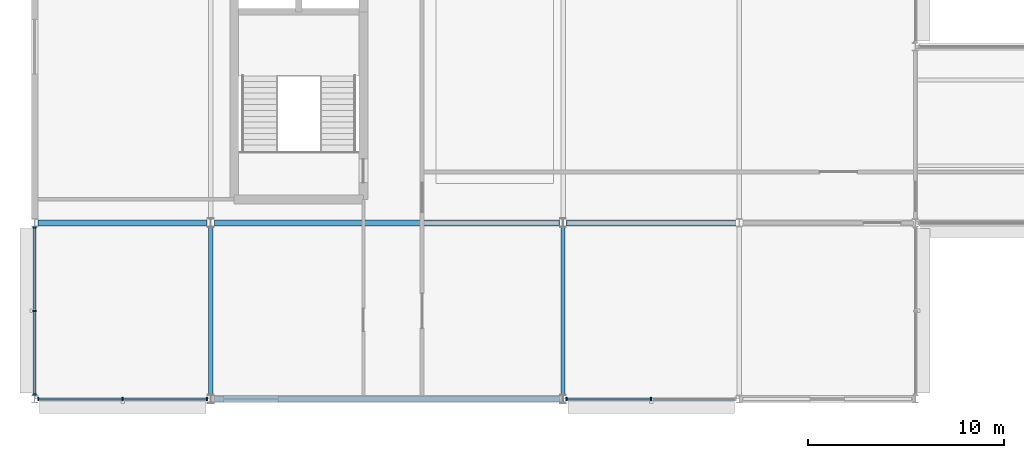
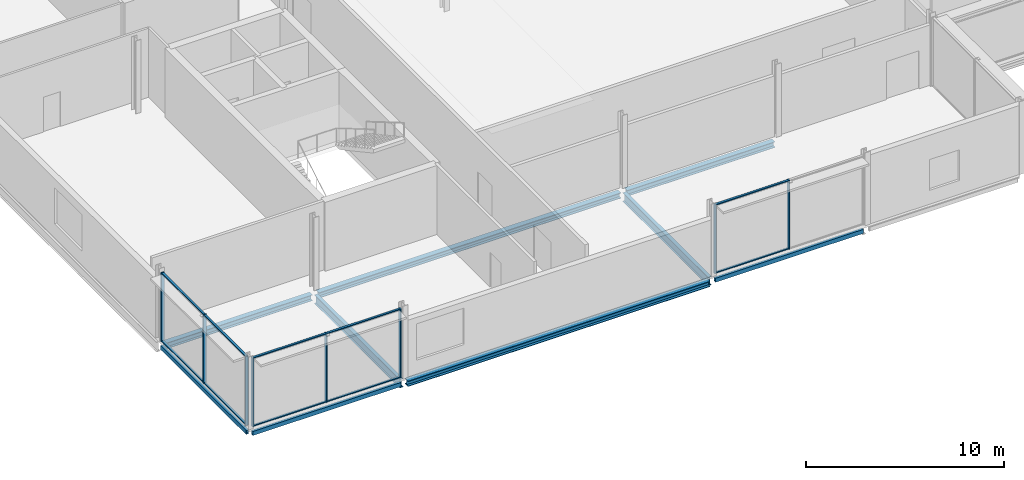
# One storey, part 14 of 73: 18 members, 9 beams, 3 elements without a shape of their own.
"""IFC4 building model written with IfcOpenShell, lengths in metres."""

from ifc_helpers import new_model, si_unit, direction, frame, origin, origin_2d, place, context, subcontext, project, spatial, rectangle, hollow_rectangle, i_section, extrude, material, layer, layer_set, material_profile, profile_set, type_object, element, aggregate, save


model = new_model("IFC4")

# Units and contexts
model_context = context("Model", 3, precision=1e-05, world=origin(), true_north=direction((0.0, 1.0)))
body_context = subcontext(model_context, "Body", "Model", "MODEL_VIEW")
ifc_project = project(units=[si_unit("LENGTHUNIT", "METRE"), si_unit("AREAUNIT", "SQUARE_METRE"), si_unit("VOLUMEUNIT", "CUBIC_METRE"), si_unit("PLANEANGLEUNIT", "RADIAN"), si_unit("MASSUNIT", "GRAM", prefix="KILO")], contexts=[model_context])

# Site, building, storey
site_placement = place(None, origin())
site = spatial("IfcSite", under=ifc_project, at=site_placement, CompositionType="ELEMENT")
building_placement = place(site_placement, origin())
building = spatial("IfcBuilding", under=site, at=building_placement, Name="Kisiwana Market Hall", CompositionType="ELEMENT")
storey_placement = place(building_placement, frame((0.0, 0.0, 33.300048828125)))
storey = spatial("IfcBuildingStorey", under=building, at=storey_placement, Name="L07", CompositionType="ELEMENT", Elevation=33.300048828125)

# Beams
ifc_material_1 = material(Name="Steel S355", Category="steel")
ifc_material_profile_1 = material_profile(ifc_material_1, i_section(OverallWidth=0.300048828125, OverallDepth=0.360107421875, WebThickness=0.012451171875, FlangeThickness=0.0224609375, at=origin_2d()), Name="HEB 360")
ifc_profile_set_1 = profile_set([ifc_material_profile_1], Name="Steel S355")
beam_type_1 = type_object("IfcBeamType", Name="BM-GIRD-HEB360", PredefinedType="BEAM", material=ifc_profile_set_1)
for number, where, z_axis, x_axis, name in (
    (1, (0.18115234375, 18.0, -0.4599609375), (1.0, 0.0, 0.0), (0.0, 1.0, 0.0), "Floor beam B-1963"),
    (2, (27.183349609375, 18.0, -0.4599609375), (1.0, 0.0, 0.0), (0.0, 1.0, 0.0), "Floor beam B-1965"),
):
    element("IfcBeam", number, at=place(storey_placement, frame(where, z_axis=z_axis, x_axis=x_axis)), inside=storey, type_object=beam_type_1, Name=name, PredefinedType="BEAM", context=body_context, shape_type="SweptSolid", body=[
        extrude(i_section(OverallWidth=0.300048828125, OverallDepth=0.360107421875, WebThickness=0.012451171875, FlangeThickness=0.0224609375, at=origin_2d()), origin(), (0.0, 0.0, 1.0), 8.635498046875),
    ])
ifc_material_2 = material(Name="Steel S355", Category="steel")
ifc_material_profile_2 = material_profile(ifc_material_2, i_section(OverallWidth=0.209228515625, OverallDepth=0.533203125, WebThickness=0.010009765625, FlangeThickness=0.015625, at=origin_2d()), Name="UB 533x210x92")
ifc_profile_set_2 = profile_set([ifc_material_profile_2], Name="Steel S355")
beam_type_2 = type_object("IfcBeamType", Name="BM-GIRD-UB533", PredefinedType="BEAM", material=ifc_profile_set_2)
for number, where, z_axis, x_axis, name in (
    (3, (9.0, 9.183349609375, -0.546630859375), (0.0, 1.0, 0.0), (-1.0, 0.0, 0.0), "Primary girder B-1881"),
    (4, (27.0, 9.183349609375, -0.546630859375), (0.0, 1.0, 0.0), (-1.0, 0.0, 0.0), "Primary girder B-1887"),
):
    element("IfcBeam", number, at=place(storey_placement, frame(where, z_axis=z_axis, x_axis=x_axis)), inside=storey, type_object=beam_type_2, Name=name, PredefinedType="BEAM", context=body_context, shape_type="SweptSolid", body=[
        extrude(i_section(OverallWidth=0.209228515625, OverallDepth=0.533203125, WebThickness=0.010009765625, FlangeThickness=0.015625, at=origin_2d()), origin(), (0.0, 0.0, 1.0), 8.63330078125),
    ])
ifc_material_3 = material(Name="Steel S355", Category="steel")
ifc_material_profile_3 = material_profile(ifc_material_3, i_section(OverallWidth=0.314453125, OverallDepth=0.33984375, WebThickness=0.01904296875, FlangeThickness=0.031494140625, at=origin_2d()), Name="UC 305x305x198")
ifc_profile_set_3 = profile_set([ifc_material_profile_3], Name="Steel S355")
beam_type_3 = type_object("IfcBeamType", Name="BM-SKYBR-CHORD", PredefinedType="BEAM", material=ifc_profile_set_3)
for number, where, z_axis, x_axis, name in (
    (5, (9.183349609375, 9.0, -0.449951171875), (1.0, 0.0, 0.0), (0.0, 1.0, 0.0), "Floor beam B-1956"),
    (6, (9.183349609375, 18.0, -0.449951171875), (1.0, 0.0, 0.0), (0.0, 1.0, 0.0), "Floor beam B-1964"),
):
    element("IfcBeam", number, at=place(storey_placement, frame(where, z_axis=z_axis, x_axis=x_axis)), inside=storey, type_object=beam_type_3, Name=name, PredefinedType="BEAM", context=body_context, shape_type="SweptSolid", body=[
        extrude(i_section(OverallWidth=0.314453125, OverallDepth=0.33984375, WebThickness=0.01904296875, FlangeThickness=0.031494140625, at=origin_2d()), origin(), (0.0, 0.0, 1.0), 17.63330078125),
    ])
ifc_material_4 = material(Name="Steel S355", Category="steel")
ifc_material_profile_4 = material_profile(ifc_material_4, hollow_rectangle(XDim=0.14990234375, YDim=0.25, WallThickness=0.010009765625, at=origin_2d()), Name="RHS 250x150x10.0")
ifc_profile_set_4 = profile_set([ifc_material_profile_4], Name="Steel S355")
beam_type_4 = type_object("IfcBeamType", Name="BM-SPAN-RHS250", PredefinedType="SPANDREL", material=ifc_profile_set_4)
for number, where, z_axis, x_axis, name in (
    (7, (0.18115234375, 9.0, -0.405029296875), (1.0, 0.0, 0.0), (0.0, 1.0, 0.0), "Floor beam B-1955"),
    (8, (27.183349609375, 9.0, -0.405029296875), (1.0, 0.0, 0.0), (0.0, 1.0, 0.0), "Floor beam B-1957"),
):
    element("IfcBeam", number, at=place(storey_placement, frame(where, z_axis=z_axis, x_axis=x_axis)), inside=storey, type_object=beam_type_4, Name=name, PredefinedType="SPANDREL", context=body_context, shape_type="SweptSolid", body=[
        extrude(hollow_rectangle(XDim=0.14990234375, YDim=0.25, WallThickness=0.010009765625, at=origin_2d()), origin(), (0.0, 0.0, 1.0), 8.635498046875),
    ])
beam_placement = place(storey_placement, frame((0.0, 9.177001953125, -0.405029296875), z_axis=(0.0, 1.0, 0.0), x_axis=(-1.0, 0.0, 0.0)))
element("IfcBeam", 9, at=beam_placement, inside=storey, type_object=beam_type_4, Name="Floor beam B-2029", PredefinedType="SPANDREL", context=body_context, shape_type="SweptSolid", body=[
    extrude(hollow_rectangle(XDim=0.14990234375, YDim=0.25, WallThickness=0.010009765625, at=origin_2d()), origin(), (0.0, 0.0, 1.0), 8.64599609375),
])

# Curtain wall, members
ifc_material_5 = material(Name="Double-glazed solar-control low-E IGU", Category="glass")
ifc_layer = layer(ifc_material_5, 0.159912109375)
ifc_layer_set = layer_set([ifc_layer], Name="CW-BRG-L07-8200")
curtain_wall_type = type_object("IfcCurtainWallType", Name="CW-BRG-L07-8200", PredefinedType="USERDEFINED", material=ifc_layer_set)
curtain_wall_1_placement = place(storey_placement, origin())
curtain_wall_1 = element("IfcCurtainWall", 10, at=curtain_wall_1_placement, inside=storey, type_object=curtain_wall_type, Name="Unitised curtain wall CW-209 (L07)", ObjectType="UNITISED CURTAIN WALL", PredefinedType="USERDEFINED")
ifc_material_6 = material(Name="Aluminium alloy 6063-T6", Category="aluminium")
ifc_material_profile_5 = material_profile(ifc_material_6, rectangle(XDim=0.070068359375, YDim=0.179931640625, at=origin_2d()), Name="ALU MULLION 70x180")
ifc_profile_set_5 = profile_set([ifc_material_profile_5], Name="Aluminium alloy 6063-T6")
member_type_1 = type_object("IfcMemberType", Name="CW-MULL-70x180", PredefinedType="MULLION", material=ifc_profile_set_5)
member_1_placement = place(storey_placement, frame((0.18505859375, 9.0, 0.0), z_axis=(0.0, 0.0, 1.0), x_axis=(1.0, 0.0, 0.0)))
member_1 = element("IfcMember", 11, at=member_1_placement, type_object=member_type_1, Name="CW-209 mullion 1", PredefinedType="MULLION", context=body_context, shape_type="SweptSolid", body=[
    extrude(rectangle(XDim=0.070068359375, YDim=0.179931640625, at=origin_2d()), origin(), (0.0, 0.0, 1.0), 4.2548828125),
])
member_2_placement = place(storey_placement, frame((4.5, 9.0, 0.0), z_axis=(0.0, 0.0, 1.0), x_axis=(1.0, 0.0, 0.0)))
member_2 = element("IfcMember", 12, at=member_2_placement, type_object=member_type_1, Name="CW-209 mullion 2", PredefinedType="MULLION", context=body_context, shape_type="SweptSolid", body=[
    extrude(rectangle(XDim=0.070068359375, YDim=0.179931640625, at=origin_2d()), origin(), (0.0, 0.0, 1.0), 4.2548828125),
])
member_3_placement = place(storey_placement, frame((8.81494140625, 9.0, 0.0), z_axis=(0.0, 0.0, 1.0), x_axis=(1.0, 0.0, 0.0)))
member_3 = element("IfcMember", 13, at=member_3_placement, type_object=member_type_1, Name="CW-209 mullion 3", PredefinedType="MULLION", context=body_context, shape_type="SweptSolid", body=[
    extrude(rectangle(XDim=0.070068359375, YDim=0.179931640625, at=origin_2d()), origin(), (0.0, 0.0, 1.0), 4.2548828125),
])

curtain_wall_2_placement = place(storey_placement, origin())
curtain_wall_2 = element("IfcCurtainWall", 14, at=curtain_wall_2_placement, inside=storey, type_object=curtain_wall_type, Name="Unitised curtain wall CW-210 (L07)", ObjectType="UNITISED CURTAIN WALL", PredefinedType="USERDEFINED")
member_4_placement = place(storey_placement, frame((27.18505859375, 9.0, 0.0), z_axis=(0.0, 0.0, 1.0), x_axis=(1.0, 0.0, 0.0)))
member_4 = element("IfcMember", 15, at=member_4_placement, type_object=member_type_1, Name="CW-210 mullion 1", PredefinedType="MULLION", context=body_context, shape_type="SweptSolid", body=[
    extrude(rectangle(XDim=0.070068359375, YDim=0.179931640625, at=origin_2d()), origin(), (0.0, 0.0, 1.0), 4.2548828125),
])
member_5_placement = place(storey_placement, frame((31.5, 9.0, 0.0), z_axis=(0.0, 0.0, 1.0), x_axis=(1.0, 0.0, 0.0)))
member_5 = element("IfcMember", 16, at=member_5_placement, type_object=member_type_1, Name="CW-210 mullion 2", PredefinedType="MULLION", context=body_context, shape_type="SweptSolid", body=[
    extrude(rectangle(XDim=0.070068359375, YDim=0.179931640625, at=origin_2d()), origin(), (0.0, 0.0, 1.0), 4.2548828125),
])

curtain_wall_3_placement = place(storey_placement, origin())
curtain_wall_3 = element("IfcCurtainWall", 17, at=curtain_wall_3_placement, inside=storey, type_object=curtain_wall_type, Name="Unitised curtain wall CW-227 (L07)", ObjectType="UNITISED CURTAIN WALL", PredefinedType="USERDEFINED")
member_6_placement = place(storey_placement, frame((0.0, 9.235107421875, 0.0), z_axis=(0.0, 0.0, 1.0), x_axis=(0.0, 1.0, 0.0)))
member_6 = element("IfcMember", 18, at=member_6_placement, type_object=member_type_1, Name="CW-227 mullion 1", PredefinedType="MULLION", context=body_context, shape_type="SweptSolid", body=[
    extrude(rectangle(XDim=0.070068359375, YDim=0.179931640625, at=origin_2d()), origin(), (0.0, 0.0, 1.0), 4.2548828125),
])
member_7_placement = place(storey_placement, frame((0.0, 13.5, 0.0), z_axis=(0.0, 0.0, 1.0), x_axis=(0.0, 1.0, 0.0)))
member_7 = element("IfcMember", 19, at=member_7_placement, type_object=member_type_1, Name="CW-227 mullion 2", PredefinedType="MULLION", context=body_context, shape_type="SweptSolid", body=[
    extrude(rectangle(XDim=0.070068359375, YDim=0.179931640625, at=origin_2d()), origin(), (0.0, 0.0, 1.0), 4.2548828125),
])
member_8_placement = place(storey_placement, frame((0.0, 17.764892578125, 0.0), z_axis=(0.0, 0.0, 1.0), x_axis=(0.0, 1.0, 0.0)))
member_8 = element("IfcMember", 20, at=member_8_placement, type_object=member_type_1, Name="CW-227 mullion 3", PredefinedType="MULLION", context=body_context, shape_type="SweptSolid", body=[
    extrude(rectangle(XDim=0.070068359375, YDim=0.179931640625, at=origin_2d()), origin(), (0.0, 0.0, 1.0), 4.2548828125),
])

# Member
ifc_material_7 = material(Name="Aluminium alloy 6063-T6", Category="aluminium")
ifc_material_profile_6 = material_profile(ifc_material_7, rectangle(XDim=0.1201171875, YDim=0.06005859375, at=origin_2d()), Name="ALU TRANSOM 60x120")
ifc_profile_set_6 = profile_set([ifc_material_profile_6], Name="Aluminium alloy 6063-T6")
member_type_2 = type_object("IfcMemberType", Name="CW-TRAN-60x120", PredefinedType="USERDEFINED", material=ifc_profile_set_6)
member_9_placement = place(storey_placement, frame((0.219970703125, 9.0, 0.030029296875), z_axis=(1.0, 0.0, 0.0), x_axis=(0.0, 1.0, 0.0)))
member_9 = element("IfcMember", 21, at=member_9_placement, type_object=member_type_2, Name="CW-209 transom 1.1", ObjectType="TRANSOM", PredefinedType="USERDEFINED", context=body_context, shape_type="SweptSolid", body=[
    extrude(rectangle(XDim=0.1201171875, YDim=0.06005859375, at=origin_2d()), origin(), (0.0, 0.0, 1.0), 4.2451171875),
])

member_10_placement = place(storey_placement, frame((0.219970703125, 9.0, 4.224853515625), z_axis=(1.0, 0.0, 0.0), x_axis=(0.0, 1.0, 0.0)))
member_10 = element("IfcMember", 22, at=member_10_placement, type_object=member_type_2, Name="CW-209 transom 1.2", ObjectType="TRANSOM", PredefinedType="USERDEFINED", context=body_context, shape_type="SweptSolid", body=[
    extrude(rectangle(XDim=0.1201171875, YDim=0.06005859375, at=origin_2d()), origin(), (0.0, 0.0, 1.0), 4.2451171875),
])

member_11_placement = place(storey_placement, frame((4.534912109375, 9.0, 0.030029296875), z_axis=(1.0, 0.0, 0.0), x_axis=(0.0, 1.0, 0.0)))
member_11 = element("IfcMember", 23, at=member_11_placement, type_object=member_type_2, Name="CW-209 transom 2.1", ObjectType="TRANSOM", PredefinedType="USERDEFINED", context=body_context, shape_type="SweptSolid", body=[
    extrude(rectangle(XDim=0.1201171875, YDim=0.06005859375, at=origin_2d()), origin(), (0.0, 0.0, 1.0), 4.2451171875),
])

member_12_placement = place(storey_placement, frame((4.534912109375, 9.0, 4.224853515625), z_axis=(1.0, 0.0, 0.0), x_axis=(0.0, 1.0, 0.0)))
member_12 = element("IfcMember", 24, at=member_12_placement, type_object=member_type_2, Name="CW-209 transom 2.2", ObjectType="TRANSOM", PredefinedType="USERDEFINED", context=body_context, shape_type="SweptSolid", body=[
    extrude(rectangle(XDim=0.1201171875, YDim=0.06005859375, at=origin_2d()), origin(), (0.0, 0.0, 1.0), 4.2451171875),
])

aggregate(curtain_wall_1, [member_1, member_2, member_3, member_9, member_10, member_11, member_12])

member_13_placement = place(storey_placement, frame((27.219970703125, 9.0, 0.030029296875), z_axis=(1.0, 0.0, 0.0), x_axis=(0.0, 1.0, 0.0)))
member_13 = element("IfcMember", 25, at=member_13_placement, type_object=member_type_2, Name="CW-210 transom 1.1", ObjectType="TRANSOM", PredefinedType="USERDEFINED", context=body_context, shape_type="SweptSolid", body=[
    extrude(rectangle(XDim=0.1201171875, YDim=0.06005859375, at=origin_2d()), origin(), (0.0, 0.0, 1.0), 4.2451171875),
])

member_14_placement = place(storey_placement, frame((27.219970703125, 9.0, 4.224853515625), z_axis=(1.0, 0.0, 0.0), x_axis=(0.0, 1.0, 0.0)))
member_14 = element("IfcMember", 26, at=member_14_placement, type_object=member_type_2, Name="CW-210 transom 1.2", ObjectType="TRANSOM", PredefinedType="USERDEFINED", context=body_context, shape_type="SweptSolid", body=[
    extrude(rectangle(XDim=0.1201171875, YDim=0.06005859375, at=origin_2d()), origin(), (0.0, 0.0, 1.0), 4.2451171875),
])

aggregate(curtain_wall_2, [member_4, member_5, member_13, member_14])

member_15_placement = place(storey_placement, frame((0.0, 9.27001953125, 0.030029296875), z_axis=(0.0, 1.0, 0.0), x_axis=(-1.0, 0.0, 0.0)))
member_15 = element("IfcMember", 27, at=member_15_placement, type_object=member_type_2, Name="CW-227 transom 1.1", ObjectType="TRANSOM", PredefinedType="USERDEFINED", context=body_context, shape_type="SweptSolid", body=[
    extrude(rectangle(XDim=0.1201171875, YDim=0.06005859375, at=origin_2d()), origin(), (0.0, 0.0, 1.0), 4.195068359375),
])

member_16_placement = place(storey_placement, frame((0.0, 9.27001953125, 4.224853515625), z_axis=(0.0, 1.0, 0.0), x_axis=(-1.0, 0.0, 0.0)))
member_16 = element("IfcMember", 28, at=member_16_placement, type_object=member_type_2, Name="CW-227 transom 1.2", ObjectType="TRANSOM", PredefinedType="USERDEFINED", context=body_context, shape_type="SweptSolid", body=[
    extrude(rectangle(XDim=0.1201171875, YDim=0.06005859375, at=origin_2d()), origin(), (0.0, 0.0, 1.0), 4.195068359375),
])

member_17_placement = place(storey_placement, frame((0.0, 13.534912109375, 0.030029296875), z_axis=(0.0, 1.0, 0.0), x_axis=(-1.0, 0.0, 0.0)))
member_17 = element("IfcMember", 29, at=member_17_placement, type_object=member_type_2, Name="CW-227 transom 2.1", ObjectType="TRANSOM", PredefinedType="USERDEFINED", context=body_context, shape_type="SweptSolid", body=[
    extrude(rectangle(XDim=0.1201171875, YDim=0.06005859375, at=origin_2d()), origin(), (0.0, 0.0, 1.0), 4.195068359375),
])

member_18_placement = place(storey_placement, frame((0.0, 13.534912109375, 4.224853515625), z_axis=(0.0, 1.0, 0.0), x_axis=(-1.0, 0.0, 0.0)))
member_18 = element("IfcMember", 30, at=member_18_placement, type_object=member_type_2, Name="CW-227 transom 2.2", ObjectType="TRANSOM", PredefinedType="USERDEFINED", context=body_context, shape_type="SweptSolid", body=[
    extrude(rectangle(XDim=0.1201171875, YDim=0.06005859375, at=origin_2d()), origin(), (0.0, 0.0, 1.0), 4.195068359375),
])

aggregate(curtain_wall_3, [member_6, member_7, member_8, member_15, member_16, member_17, member_18])

save(model, "model.ifc")
